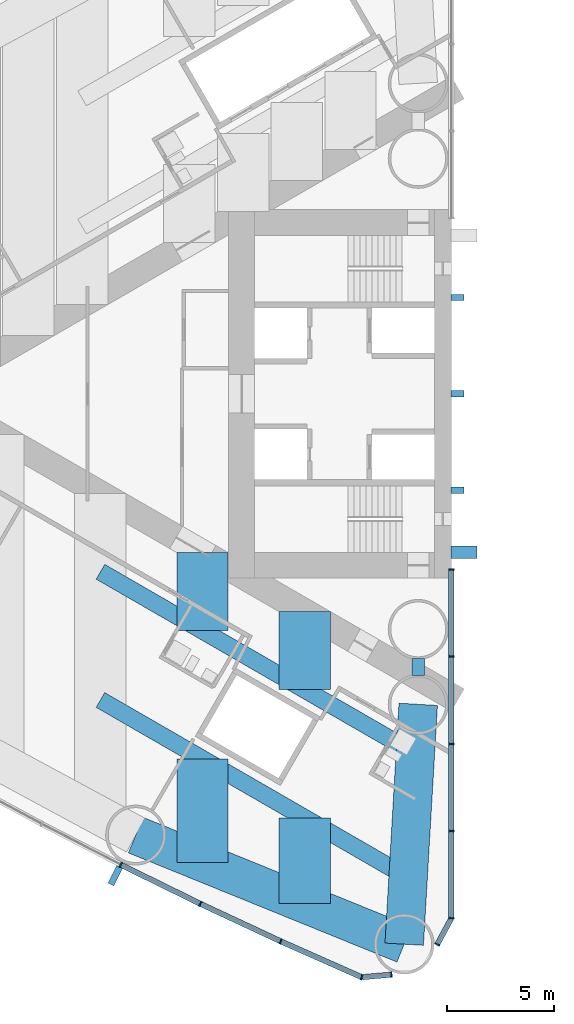
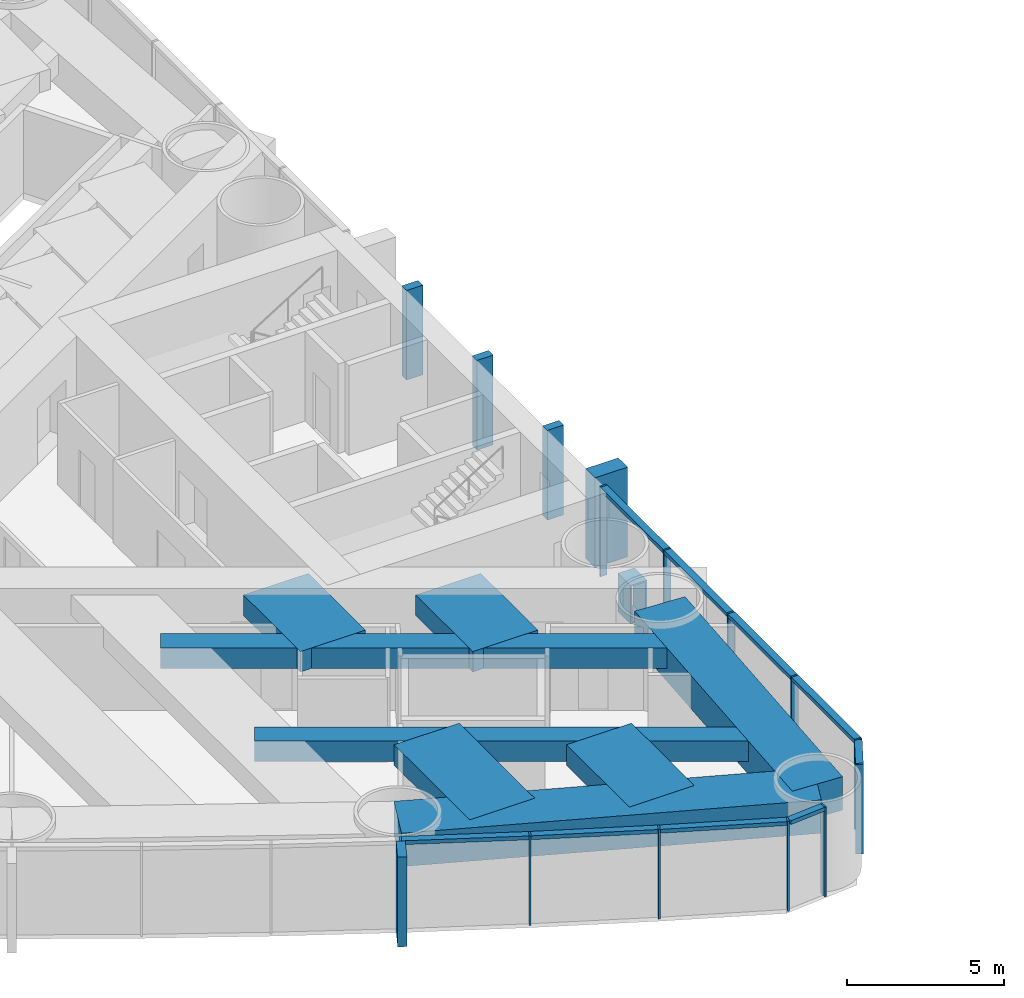
# One storey, part 3 of 19: 25 members, 9 beams, 2 elements without a shape of their own.
"""IFC4 building model written with IfcOpenShell, lengths in metres."""

from ifc_helpers import new_model, si_unit, direction, frame, origin, origin_2d, place, context, subcontext, project, spatial, rectangle, hollow_rectangle, extrude, material, material_profile, profile_set, type_object, element, aggregate, save


model = new_model("IFC4")

# Units and contexts
model_context = context("Model", 3, precision=1e-05, world=origin(), true_north=direction((0.0, 1.0)))
body_context = subcontext(model_context, "Body", "Model", "MODEL_VIEW")
ifc_project = project(units=[si_unit("LENGTHUNIT", "METRE"), si_unit("AREAUNIT", "SQUARE_METRE"), si_unit("VOLUMEUNIT", "CUBIC_METRE"), si_unit("PLANEANGLEUNIT", "RADIAN"), si_unit("MASSUNIT", "GRAM", prefix="KILO")], contexts=[model_context])

# Site, building, storey
site_placement = place(None, origin())
site = spatial("IfcSite", under=ifc_project, at=site_placement, CompositionType="ELEMENT")
building_placement = place(site_placement, origin())
building = spatial("IfcBuilding", under=site, at=building_placement, Name="Lancet Gate Hotel", CompositionType="ELEMENT")
storey_placement = place(building_placement, frame((0.0, 0.0, 39.0)))
storey = spatial("IfcBuildingStorey", under=building, at=storey_placement, Name="L09", CompositionType="ELEMENT", Elevation=39.0)

# Curtain wall, members
ifc_material_1 = material(Name="Aluminium curtain wall", Category="aluminium")
curtain_wall_type = type_object("IfcCurtainWallType", Name="Tower unitised curtain wall", PredefinedType="USERDEFINED", material=ifc_material_1)
curtain_wall_1_placement = place(storey_placement, origin())
curtain_wall_1 = element("IfcCurtainWall", 1, at=curtain_wall_1_placement, inside=storey, type_object=curtain_wall_type, Name="T1 L09 curtain wall 3", ObjectType="UNITISED CURTAIN WALL", PredefinedType="USERDEFINED")
ifc_material_2 = material(Name="Aluminium mullion", Category="aluminium")
ifc_material_profile_1 = material_profile(ifc_material_2, rectangle(XDim=0.06494140625, YDim=0.25, at=origin_2d()), Name="MULLION 65x250")
ifc_profile_set_1 = profile_set([ifc_material_profile_1], Name="Aluminium mullion")
member_type_1 = type_object("IfcMemberType", Name="Aluminium mullion 65x250", PredefinedType="MULLION", material=ifc_profile_set_1)
member_1_placement = place(storey_placement, frame((-42.94189453125, -21.991943359375, 0.0), z_axis=(0.0, 0.0, 1.0), x_axis=(0.893291549794, -0.449477704748, 0.0)))
member_1 = element("IfcMember", 2, at=member_1_placement, type_object=member_type_1, Name="T1 L09 curtain wall 3 mullion 11", PredefinedType="MULLION", context=body_context, shape_type="SweptSolid", body=[
    extrude(rectangle(XDim=0.06494140625, YDim=0.25, at=origin_2d()), origin(), (0.0, 0.0, 1.0), 3.5),
])
member_2_placement = place(storey_placement, frame((-39.225341796875, -23.816650390625, 0.0), z_axis=(0.0, 0.0, 1.0), x_axis=(0.901928838337, -0.431884672772, 0.0)))
member_2 = element("IfcMember", 3, at=member_2_placement, type_object=member_type_1, Name="T1 L09 curtain wall 3 mullion 12", PredefinedType="MULLION", context=body_context, shape_type="SweptSolid", body=[
    extrude(rectangle(XDim=0.06494140625, YDim=0.25, at=origin_2d()), origin(), (0.0, 0.0, 1.0), 3.5),
])
member_3_placement = place(storey_placement, frame((-35.473876953125, -25.568115234375, 0.0), z_axis=(0.0, 0.0, 1.0), x_axis=(0.910219680212, -0.414125746308, 0.0)))
member_3 = element("IfcMember", 4, at=member_3_placement, type_object=member_type_1, Name="T1 L09 curtain wall 3 mullion 13", PredefinedType="MULLION", context=body_context, shape_type="SweptSolid", body=[
    extrude(rectangle(XDim=0.06494140625, YDim=0.25, at=origin_2d()), origin(), (0.0, 0.0, 1.0), 3.5),
])
member_4_placement = place(storey_placement, frame((-31.688720703125, -27.24560546875, 0.0), z_axis=(0.0, 0.0, 1.0), x_axis=(0.957524354695, -0.288352406209, 0.0)))
member_4 = element("IfcMember", 5, at=member_4_placement, type_object=member_type_1, Name="T1 L09 curtain wall 3 mullion 14", PredefinedType="MULLION", context=body_context, shape_type="SweptSolid", body=[
    extrude(rectangle(XDim=0.06494140625, YDim=0.25, at=origin_2d()), origin(), (0.0, 0.0, 1.0), 3.5),
])
member_5_placement = place(storey_placement, frame((-30.3046875, -27.124755859375, 0.0), z_axis=(0.0, 0.0, 1.0), x_axis=(0.99620380374, 0.087051602022, 0.0)))
member_5 = element("IfcMember", 6, at=member_5_placement, type_object=member_type_1, Name="T1 L09 curtain wall 3 mullion 15", PredefinedType="MULLION", context=body_context, shape_type="SweptSolid", body=[
    extrude(rectangle(XDim=0.06494140625, YDim=0.25, at=origin_2d()), origin(), (0.0, 0.0, 1.0), 3.5),
])

curtain_wall_2_placement = place(storey_placement, origin())
curtain_wall_2 = element("IfcCurtainWall", 7, at=curtain_wall_2_placement, inside=storey, type_object=curtain_wall_type, Name="T1 L09 curtain wall 4", ObjectType="UNITISED CURTAIN WALL", PredefinedType="USERDEFINED")
member_6_placement = place(storey_placement, frame((-28.158935546875, -25.712890625, 0.0), z_axis=(0.0, 0.0, 1.0), x_axis=(0.474631040972, 0.880184852714, 0.0)))
member_6 = element("IfcMember", 8, at=member_6_placement, type_object=member_type_1, Name="T1 L09 curtain wall 4 mullion 1", PredefinedType="MULLION", context=body_context, shape_type="SweptSolid", body=[
    extrude(rectangle(XDim=0.06494140625, YDim=0.25, at=origin_2d()), origin(), (0.0, 0.0, 1.0), 3.5),
])
member_7_placement = place(storey_placement, frame((-27.5, -24.4912109375, 0.0), z_axis=(0.0, 0.0, 1.0), x_axis=(0.123482502544, 0.992346749662, 0.0)))
member_7 = element("IfcMember", 9, at=member_7_placement, type_object=member_type_1, Name="T1 L09 curtain wall 4 mullion 2", PredefinedType="MULLION", context=body_context, shape_type="SweptSolid", body=[
    extrude(rectangle(XDim=0.06494140625, YDim=0.25, at=origin_2d()), origin(), (0.0, 0.0, 1.0), 3.5),
])
member_8_placement = place(storey_placement, frame((-27.5, -20.41845703125, 0.0), z_axis=(0.0, 0.0, 1.0), x_axis=(0.0, 1.0, 0.0)))
member_8 = element("IfcMember", 10, at=member_8_placement, type_object=member_type_1, Name="T1 L09 curtain wall 4 mullion 3", PredefinedType="MULLION", context=body_context, shape_type="SweptSolid", body=[
    extrude(rectangle(XDim=0.06494140625, YDim=0.25, at=origin_2d()), origin(), (0.0, 0.0, 1.0), 3.5),
])
member_9_placement = place(storey_placement, frame((-27.5, -16.345703125, 0.0), z_axis=(0.0, 0.0, 1.0), x_axis=(0.0, 1.0, 0.0)))
member_9 = element("IfcMember", 11, at=member_9_placement, type_object=member_type_1, Name="T1 L09 curtain wall 4 mullion 4", PredefinedType="MULLION", context=body_context, shape_type="SweptSolid", body=[
    extrude(rectangle(XDim=0.06494140625, YDim=0.25, at=origin_2d()), origin(), (0.0, 0.0, 1.0), 3.5),
])
member_10_placement = place(storey_placement, frame((-27.5, -12.272705078125, 0.0), z_axis=(0.0, 0.0, 1.0), x_axis=(0.0, 1.0, 0.0)))
member_10 = element("IfcMember", 12, at=member_10_placement, type_object=member_type_1, Name="T1 L09 curtain wall 4 mullion 5", PredefinedType="MULLION", context=body_context, shape_type="SweptSolid", body=[
    extrude(rectangle(XDim=0.06494140625, YDim=0.25, at=origin_2d()), origin(), (0.0, 0.0, 1.0), 3.5),
])
member_11_placement = place(storey_placement, frame((-27.5, -8.199951171875, 0.0), z_axis=(0.0, 0.0, 1.0), x_axis=(0.0, 1.0, 0.0)))
member_11 = element("IfcMember", 13, at=member_11_placement, type_object=member_type_1, Name="T1 L09 curtain wall 4 mullion 6", PredefinedType="MULLION", context=body_context, shape_type="SweptSolid", body=[
    extrude(rectangle(XDim=0.06494140625, YDim=0.25, at=origin_2d()), origin(), (0.0, 0.0, 1.0), 3.5),
])

# Member
ifc_material_3 = material(Name="Aluminium transom", Category="aluminium")
ifc_material_profile_2 = material_profile(ifc_material_3, rectangle(XDim=0.25, YDim=0.14990234375, at=origin_2d()), Name="TRANSOM 250x150")
ifc_profile_set_2 = profile_set([ifc_material_profile_2], Name="Aluminium transom")
member_type_2 = type_object("IfcMemberType", Name="Aluminium transom 250x150", PredefinedType="USERDEFINED", material=ifc_profile_set_2)
member_12_placement = place(storey_placement, frame((-42.912841796875, -22.00634765625, 3.425048828125), z_axis=(0.897662439958, -0.440683723194, 0.0), x_axis=(0.440683723194, 0.897662439958, 0.0)))
member_12 = element("IfcMember", 14, at=member_12_placement, type_object=member_type_2, Name="T1 L09 curtain wall 3 transom 11", ObjectType="TRANSOM", PredefinedType="USERDEFINED", context=body_context, shape_type="SweptSolid", body=[
    extrude(rectangle(XDim=0.25, YDim=0.14990234375, at=origin_2d()), origin(), (0.0, 0.0, 1.0), 4.0751953125),
])

member_13_placement = place(storey_placement, frame((-39.196044921875, -23.830322265625, 3.425048828125), z_axis=(0.906109667261, -0.423042871228, 0.0), x_axis=(0.423042871228, 0.906109667261, 0.0)))
member_13 = element("IfcMember", 15, at=member_13_placement, type_object=member_type_2, Name="T1 L09 curtain wall 3 transom 12", ObjectType="TRANSOM", PredefinedType="USERDEFINED", context=body_context, shape_type="SweptSolid", body=[
    extrude(rectangle(XDim=0.25, YDim=0.14990234375, at=origin_2d()), origin(), (0.0, 0.0, 1.0), 4.075439453125),
])

member_14_placement = place(storey_placement, frame((-35.444091796875, -25.581298828125, 3.425048828125), z_axis=(0.914248281954, -0.405154389022, 0.0), x_axis=(0.405154389022, 0.914248281954, 0.0)))
member_14 = element("IfcMember", 16, at=member_14_placement, type_object=member_type_2, Name="T1 L09 curtain wall 3 transom 13", ObjectType="TRANSOM", PredefinedType="USERDEFINED", context=body_context, shape_type="SweptSolid", body=[
    extrude(rectangle(XDim=0.25, YDim=0.14990234375, at=origin_2d()), origin(), (0.0, 0.0, 1.0), 4.0751953125),
])

member_15_placement = place(storey_placement, frame((-31.65625, -27.242919921875, 3.425048828125), z_axis=(0.99620591587, 0.087027427779, 0.0), x_axis=(-0.087027427779, 0.99620591587, 0.0)))
member_15 = element("IfcMember", 17, at=member_15_placement, type_object=member_type_2, Name="T1 L09 curtain wall 3 transom 14", ObjectType="TRANSOM", PredefinedType="USERDEFINED", context=body_context, shape_type="SweptSolid", body=[
    extrude(rectangle(XDim=0.25, YDim=0.14990234375, at=origin_2d()), origin(), (0.0, 0.0, 1.0), 1.32421875),
])

member_16_placement = place(storey_placement, frame((-28.143310546875, -25.684326171875, 3.425048828125), z_axis=(0.474605926905, 0.880198394765, 0.0), x_axis=(-0.880198394765, 0.474605926905, 0.0)))
member_16 = element("IfcMember", 18, at=member_16_placement, type_object=member_type_2, Name="T1 L09 curtain wall 4 transom 1", ObjectType="TRANSOM", PredefinedType="USERDEFINED", context=body_context, shape_type="SweptSolid", body=[
    extrude(rectangle(XDim=0.25, YDim=0.14990234375, at=origin_2d()), origin(), (0.0, 0.0, 1.0), 1.322998046875),
])

member_17_placement = place(storey_placement, frame((-27.5, -24.458740234375, 3.425048828125), z_axis=(0.0, 1.0, 0.0), x_axis=(-1.0, 0.0, 0.0)))
member_17 = element("IfcMember", 19, at=member_17_placement, type_object=member_type_2, Name="T1 L09 curtain wall 4 transom 2", ObjectType="TRANSOM", PredefinedType="USERDEFINED", context=body_context, shape_type="SweptSolid", body=[
    extrude(rectangle(XDim=0.25, YDim=0.14990234375, at=origin_2d()), origin(), (0.0, 0.0, 1.0), 4.0078125),
])

member_18_placement = place(storey_placement, frame((-27.5, -20.385986328125, 3.425048828125), z_axis=(0.0, 1.0, 0.0), x_axis=(-1.0, 0.0, 0.0)))
member_18 = element("IfcMember", 20, at=member_18_placement, type_object=member_type_2, Name="T1 L09 curtain wall 4 transom 3", ObjectType="TRANSOM", PredefinedType="USERDEFINED", context=body_context, shape_type="SweptSolid", body=[
    extrude(rectangle(XDim=0.25, YDim=0.14990234375, at=origin_2d()), origin(), (0.0, 0.0, 1.0), 4.0078125),
])

member_19_placement = place(storey_placement, frame((-27.5, -16.31298828125, 3.425048828125), z_axis=(0.0, 1.0, 0.0), x_axis=(-1.0, 0.0, 0.0)))
member_19 = element("IfcMember", 21, at=member_19_placement, type_object=member_type_2, Name="T1 L09 curtain wall 4 transom 4", ObjectType="TRANSOM", PredefinedType="USERDEFINED", context=body_context, shape_type="SweptSolid", body=[
    extrude(rectangle(XDim=0.25, YDim=0.14990234375, at=origin_2d()), origin(), (0.0, 0.0, 1.0), 4.0078125),
])

member_20_placement = place(storey_placement, frame((-27.5, -12.240234375, 3.425048828125), z_axis=(0.0, 1.0, 0.0), x_axis=(-1.0, 0.0, 0.0)))
member_20 = element("IfcMember", 22, at=member_20_placement, type_object=member_type_2, Name="T1 L09 curtain wall 4 transom 5", ObjectType="TRANSOM", PredefinedType="USERDEFINED", context=body_context, shape_type="SweptSolid", body=[
    extrude(rectangle(XDim=0.25, YDim=0.14990234375, at=origin_2d()), origin(), (0.0, 0.0, 1.0), 4.0078125),
])

aggregate(curtain_wall_2, [member_6, member_7, member_8, member_9, member_10, member_11, member_16, member_17, member_18, member_19, member_20])

# Beams
ifc_material_4 = material(Name="Concrete C50/60", Category="concrete")
ifc_material_profile_3 = material_profile(ifc_material_4, rectangle(XDim=1.800048828125, YDim=1.300048828125, at=origin_2d()), Name="RC 1800x1300")
ifc_profile_set_3 = profile_set([ifc_material_profile_3], Name="Concrete C50/60")
beam_type_1 = type_object("IfcBeamType", Name="Edge beam RC 1800x1300", PredefinedType="SPANDREL", material=ifc_profile_set_3)
beam_1_placement = place(storey_placement, frame((-42.2451171875, -20.607421875, 2.60009765625), z_axis=(0.926463236197, -0.376385270667, 0.0), x_axis=(0.376385270667, 0.926463236197, 0.0)))
element("IfcBeam", 23, at=beam_1_placement, inside=storey, type_object=beam_type_1, Name="T1 edge beam EB1 L09", PredefinedType="SPANDREL", context=body_context, shape_type="SweptSolid", body=[
    extrude(rectangle(XDim=1.800048828125, YDim=1.300048828125, at=origin_2d()), origin(), (0.0, 0.0, 1.0), 13.537353515625),
])
beam_2_placement = place(storey_placement, frame((-29.050048828125, -14.5, 2.60009765625), z_axis=(-0.058219521912, -0.998303805096, 0.0), x_axis=(0.998303805096, -0.058219521912, 0.0)))
element("IfcBeam", 24, at=beam_2_placement, inside=storey, type_object=beam_type_1, Name="T1 edge beam EB1 L09", PredefinedType="SPANDREL", context=body_context, shape_type="SweptSolid", body=[
    extrude(rectangle(XDim=1.800048828125, YDim=1.300048828125, at=origin_2d()), origin(), (0.0, 0.0, 1.0), 11.2216796875),
])

# Member
ifc_material_5 = material(Name="Concrete C60/75", Category="concrete")
ifc_material_profile_4 = material_profile(ifc_material_5, rectangle(XDim=0.60009765625, YDim=1.199951171875, at=origin_2d()), Name="FIN 600x1200")
ifc_profile_set_4 = profile_set([ifc_material_profile_4], Name="Concrete C60/75")
member_type_3 = type_object("IfcMemberType", Name="Exposed concrete buttress pilaster 600x1200", PredefinedType="USERDEFINED", material=ifc_profile_set_4)
member_21_placement = place(storey_placement, frame((-26.909912109375, -7.39990234375, 0.0), z_axis=(0.0, 0.0, 1.0), x_axis=(0.0, 1.0, 0.0)))
element("IfcMember", 25, at=member_21_placement, inside=storey, type_object=member_type_3, Name="T1 buttress pilaster N L09", ObjectType="FIN", PredefinedType="USERDEFINED", context=body_context, shape_type="SweptSolid", body=[
    extrude(rectangle(XDim=0.60009765625, YDim=1.199951171875, at=origin_2d()), origin(), (0.0, 0.0, 1.0), 3.5),
])

ifc_material_6 = material(Name="Precast concrete C50/60", Category="concrete")
ifc_material_profile_5 = material_profile(ifc_material_6, rectangle(XDim=0.300048828125, YDim=0.89990234375, at=origin_2d()), Name="FIN 300x900")
ifc_profile_set_5 = profile_set([ifc_material_profile_5], Name="Precast concrete C50/60")
member_type_4 = type_object("IfcMemberType", Name="Exposed concrete fin 300x900", PredefinedType="USERDEFINED", material=ifc_profile_set_5)
member_22_placement = place(storey_placement, frame((-43.200439453125, -22.505615234375, 0.0), z_axis=(0.0, 0.0, 1.0), x_axis=(0.893291549794, -0.449477704748, 0.0)))
member_22 = element("IfcMember", 26, at=member_22_placement, type_object=member_type_4, Name="T1 L09 curtain wall 3 fin 11", ObjectType="FIN", PredefinedType="USERDEFINED", context=body_context, shape_type="SweptSolid", body=[
    extrude(rectangle(XDim=0.300048828125, YDim=0.89990234375, at=origin_2d()), origin(), (0.0, 0.0, 1.0), 3.5),
])

aggregate(curtain_wall_1, [member_1, member_22, member_2, member_3, member_4, member_5, member_12, member_13, member_14, member_15])

# Members
ifc_material_7 = material(Name="Concrete C60/75", Category="concrete")
ifc_material_profile_6 = material_profile(ifc_material_7, rectangle(XDim=0.300048828125, YDim=0.60009765625, at=origin_2d()), Name="FIN 300x600")
ifc_profile_set_6 = profile_set([ifc_material_profile_6], Name="Concrete C60/75")
member_type_5 = type_object("IfcMemberType", Name="Exposed concrete rib 300x600", PredefinedType="USERDEFINED", material=ifc_profile_set_6)
for number, where, z_axis, x_axis, name in (
    (27, (-27.2099609375, 4.5, 0.0), (0.0, 0.0, 1.0), (0.0, 1.0, 0.0), "T1 core rib 1 L09"),
    (28, (-27.2099609375, 0.0, 0.0), (0.0, 0.0, 1.0), (0.0, 1.0, 0.0), "T1 core rib 2 L09"),
    (29, (-27.2099609375, -4.5, 0.0), (0.0, 0.0, 1.0), (0.0, 1.0, 0.0), "T1 core rib 3 L09"),
):
    element("IfcMember", number, at=place(storey_placement, frame(where, z_axis=z_axis, x_axis=x_axis)), inside=storey, type_object=member_type_5, Name=name, ObjectType="FIN", PredefinedType="USERDEFINED", context=body_context, shape_type="SweptSolid", body=[
        extrude(rectangle(XDim=0.300048828125, YDim=0.60009765625, at=origin_2d()), origin(), (0.0, 0.0, 1.0), 3.5),
    ])

# Beams
ifc_material_8 = material(Name="Concrete C50/60", Category="concrete")
ifc_material_profile_7 = material_profile(ifc_material_8, rectangle(XDim=2.39990234375, YDim=0.800048828125, at=origin_2d()), Name="RC 2400x800")
ifc_profile_set_7 = profile_set([ifc_material_profile_7], Name="Concrete C50/60")
beam_type_2 = type_object("IfcBeamType", Name="Floor beam RC 2400x800", PredefinedType="BEAM", material=ifc_profile_set_7)
beam_3_placement = place(storey_placement, frame((-34.353515625, -10.169921875, 2.85009765625), z_axis=(0.0, -1.0, 0.0), x_axis=(1.0, 0.0, 0.0)))
element("IfcBeam", 30, at=beam_3_placement, inside=storey, type_object=beam_type_2, Name="T1 floor beam F03NA L09", PredefinedType="BEAM", context=body_context, shape_type="SweptSolid", body=[
    extrude(rectangle(XDim=2.39990234375, YDim=0.800048828125, at=origin_2d()), origin(), (0.0, 0.0, 1.0), 3.645751953125),
])
beam_4_placement = place(storey_placement, frame((-34.353515625, -19.802978515625, 2.85009765625), z_axis=(0.0, -1.0, 0.0), x_axis=(1.0, 0.0, 0.0)))
element("IfcBeam", 31, at=beam_4_placement, inside=storey, type_object=beam_type_2, Name="T1 floor beam F03NB L09", PredefinedType="BEAM", context=body_context, shape_type="SweptSolid", body=[
    extrude(rectangle(XDim=2.39990234375, YDim=0.800048828125, at=origin_2d()), origin(), (0.0, 0.0, 1.0), 4.010498046875),
])
beam_5_placement = place(storey_placement, frame((-39.122314453125, -7.41650390625, 2.85009765625), z_axis=(0.0, -1.0, 0.0), x_axis=(1.0, 0.0, 0.0)))
element("IfcBeam", 32, at=beam_5_placement, inside=storey, type_object=beam_type_2, Name="T1 floor beam F06NA L09", PredefinedType="BEAM", context=body_context, shape_type="SweptSolid", body=[
    extrude(rectangle(XDim=2.39990234375, YDim=0.800048828125, at=origin_2d()), origin(), (0.0, 0.0, 1.0), 3.64599609375),
])
beam_6_placement = place(storey_placement, frame((-39.122314453125, -17.0498046875, 2.85009765625), z_axis=(0.0, -1.0, 0.0), x_axis=(1.0, 0.0, 0.0)))
element("IfcBeam", 33, at=beam_6_placement, inside=storey, type_object=beam_type_2, Name="T1 floor beam F06NB L09", PredefinedType="BEAM", context=body_context, shape_type="SweptSolid", body=[
    extrude(rectangle(XDim=2.39990234375, YDim=0.800048828125, at=origin_2d()), origin(), (0.0, 0.0, 1.0), 4.826416015625),
])
ifc_material_9 = material(Name="Steel S460QL", Category="steel")
ifc_material_profile_8 = material_profile(ifc_material_9, hollow_rectangle(XDim=0.60009765625, YDim=1.5, WallThickness=0.050048828125, at=origin_2d()), Name="BOX 1500x600x50")
ifc_profile_set_8 = profile_set([ifc_material_profile_8], Name="Steel S460QL")
beam_type_3 = type_object("IfcBeamType", Name="Inner-face link beam BOX 1500x600x50", PredefinedType="BEAM", material=ifc_profile_set_8)
beam_7_placement = place(storey_placement, frame((-29.050048828125, -12.35009765625, 2.5), z_axis=(0.0, -1.0, 0.0), x_axis=(1.0, 0.0, 0.0)))
element("IfcBeam", 34, at=beam_7_placement, inside=storey, type_object=beam_type_3, Name="T1 inner-face link beam LK1 L09", PredefinedType="BEAM", context=body_context, shape_type="SweptSolid", body=[
    extrude(hollow_rectangle(XDim=0.60009765625, YDim=1.5, WallThickness=0.050048828125, at=origin_2d()), origin(), (0.0, 0.0, 1.0), 0.7998046875),
])
ifc_material_10 = material(Name="Steel S460QL", Category="steel")
ifc_material_profile_9 = material_profile(ifc_material_10, hollow_rectangle(XDim=0.800048828125, YDim=0.800048828125, WallThickness=0.080078125, at=origin_2d()), Name="BOX 800x800x80")
ifc_profile_set_9 = profile_set([ifc_material_profile_9], Name="Steel S460QL")
beam_type_4 = type_object("IfcBeamType", Name="Trimmer beam BOX 800x800x80", PredefinedType="BEAM", material=ifc_profile_set_9)
for number, where, z_axis, x_axis, name in (
    (35, (-29.58447265625, -22.55615234375, 2.85009765625), (-0.866040141834, 0.49997447208, 0.0), (-0.49997447208, -0.866040141834, 0.0), "T1 trimmer beam TR03N L09"),
    (36, (-29.58447265625, -16.56884765625, 2.85009765625), (-0.866040141834, 0.49997447208, 0.0), (-0.49997447208, -0.866040141834, 0.0), "T1 trimmer beam TR04N L09"),
):
    element("IfcBeam", number, at=place(storey_placement, frame(where, z_axis=z_axis, x_axis=x_axis)), inside=storey, type_object=beam_type_4, Name=name, PredefinedType="BEAM", context=body_context, shape_type="SweptSolid", body=[
        extrude(hollow_rectangle(XDim=0.800048828125, YDim=0.800048828125, WallThickness=0.080078125, at=origin_2d()), origin(), (0.0, 0.0, 1.0), 16.519775390625),
    ])

save(model, "model.ifc")
